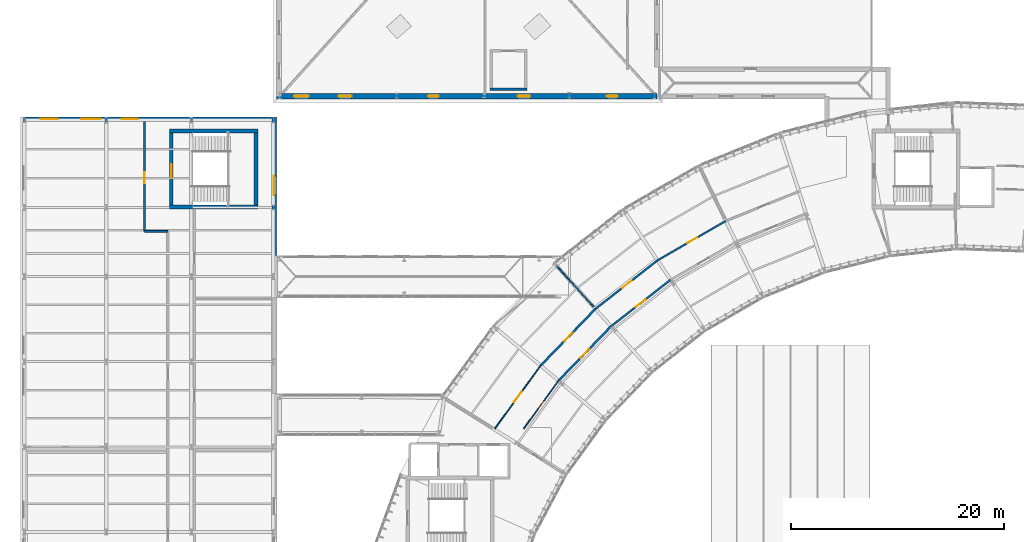
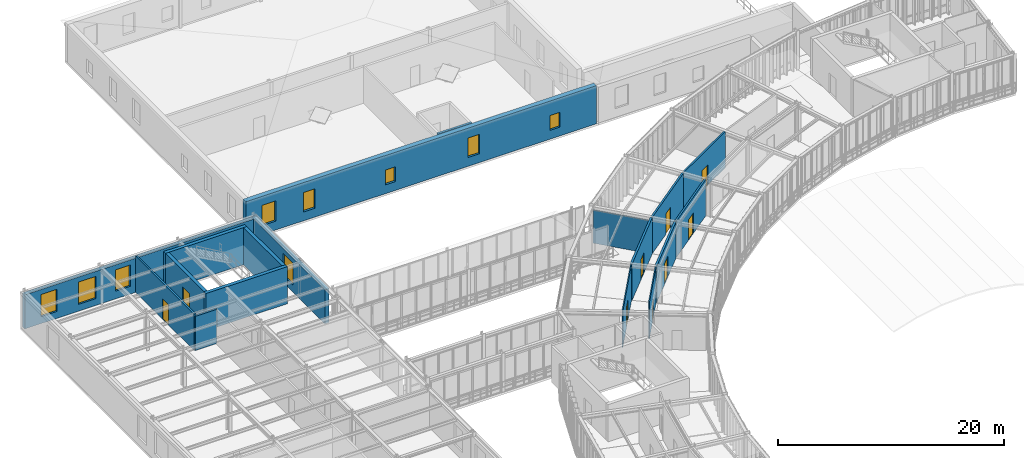
# One storey, part 43 of 57: 18 walls, 9 doors, 9 windows, 18 openings.
"""IFC4 building model written with IfcOpenShell, lengths in metres."""

import ifcopenshell
import ifcopenshell.guid

model = None  # the IFC model being written
_history = None  # IfcOwnerHistory: only IFC2X3 demands one
_inside = {}  # id of a spatial element -> (the spatial element, [elements in it])
_under = {}  # id of a project, library or spatial element -> (it, [spatial elements below it])
_declared = {}  # id of a project -> (the project, [libraries it declares])
_typed = {}  # id of a type object -> (the type object, [elements of that type])
_made_of = {}  # id of a material, layer set ... -> (it, [elements and type objects made of it])


def new_model(schema):
    """Start an empty IFC model of exactly this schema.

    Asked for "IFC4X3", IfcOpenShell would pick the latest addendum, in which some entities
    have other attributes; the version numbers below select the first issue.
    IFC2X3 requires an IfcOwnerHistory on every rooted entity: one is made here for all.
    """
    global model, _history
    if schema == "IFC4X3":
        model = ifcopenshell.file(schema_version=(4, 3, 0, 0))
    else:
        model = ifcopenshell.file(schema=schema)
    _inside.clear()
    _under.clear()
    _declared.clear()
    _typed.clear()
    _made_of.clear()
    _history = None
    if model.schema == "IFC2X3":
        org = make("IfcOrganization", Name="unknown")
        user = make(
            "IfcPersonAndOrganization",
            ThePerson=make("IfcPerson", FamilyName="unknown"),
            TheOrganization=org,
        )
        app = make(
            "IfcApplication",
            ApplicationDeveloper=org,
            Version="unknown",
            ApplicationFullName="unknown",
            ApplicationIdentifier="unknown",
        )
        _history = make(
            "IfcOwnerHistory",
            OwningUser=user,
            OwningApplication=app,
            ChangeAction="ADDED",
            CreationDate=0,
        )
    return model


def make(cls, **values):
    """One entity of the class cls with the attributes given. An attribute that is None is left unset."""
    return model.create_entity(
        cls, **{name: value for name, value in values.items() if value is not None}
    )


def rooted(cls, **values):
    """An entity with a GlobalId (a new one), such as an element, a storey or a relation."""
    return make(cls, GlobalId=ifcopenshell.guid.new(), OwnerHistory=_history, **values)


def si_unit(unit_type, name, prefix=None):
    """IfcSIUnit, for example si_unit("LENGTHUNIT", "METRE", prefix="MILLI")."""
    return make("IfcSIUnit", UnitType=unit_type, Prefix=prefix, Name=name)


def assignment(units):
    """IfcUnitAssignment: the units of a project."""
    return None if units is None else make("IfcUnitAssignment", Units=units)


def point(xyz):
    """IfcCartesianPoint."""
    return None if xyz is None else make("IfcCartesianPoint", Coordinates=xyz)


def direction(xyz):
    """IfcDirection."""
    return None if xyz is None else make("IfcDirection", DirectionRatios=xyz)


def frame(location, z_axis=None, x_axis=None):
    """IfcAxis2Placement3D, a coordinate frame: its origin and axes. An axis left out is left unset."""
    return make(
        "IfcAxis2Placement3D",
        Location=point(location),
        Axis=direction(z_axis),
        RefDirection=direction(x_axis),
    )


def frame_2d(location, x_axis=None):
    """IfcAxis2Placement2D, a coordinate frame in the plane: its origin and x axis."""
    return make(
        "IfcAxis2Placement2D", Location=point(location), RefDirection=direction(x_axis)
    )


def origin():
    """The frame at (0, 0, 0) with its axes left unset."""
    return frame((0.0, 0.0, 0.0))


def place(relative_to, where):
    """IfcLocalPlacement: puts the frame where relative to a parent placement (None: the world)."""
    return make(
        "IfcLocalPlacement", PlacementRelTo=relative_to, RelativePlacement=where
    )


def context(
    kind, dimensions, precision=None, world=None, true_north=None, identifier=None
):
    """IfcGeometricRepresentationContext, for example the 3D "Model" context."""
    return make(
        "IfcGeometricRepresentationContext",
        ContextIdentifier=identifier,
        ContextType=kind,
        CoordinateSpaceDimension=dimensions,
        Precision=precision,
        WorldCoordinateSystem=world,
        TrueNorth=true_north,
    )


def subcontext(parent, identifier, kind, view, scale=None):
    """IfcGeometricRepresentationSubContext, for example "Body" below "Model"."""
    return make(
        "IfcGeometricRepresentationSubContext",
        ContextIdentifier=identifier,
        ContextType=kind,
        ParentContext=parent,
        TargetScale=scale,
        TargetView=view,
    )


def project(units=None, contexts=None):
    """IfcProject with its units and contexts."""
    return rooted(
        "IfcProject",
        Name="project",
        RepresentationContexts=contexts,
        UnitsInContext=assignment(units),
    )


def spatial(cls, under=None, at=None, **own):
    """A site, building, storey or space (cls), placed at a placement, below another one or the project."""
    s = rooted(cls, ObjectPlacement=at, **own)
    if under is not None:
        _under.setdefault(under.id(), (under, []))[1].append(s)
    return s


def profile(cls, at=None, kind="AREA", **sizes):
    """A parametric profile (cls). Its sizes go by their IFC names, for example OverallWidth=200.0."""
    return make(cls, ProfileType=kind, Position=at, **sizes)


def rectangle(**sizes):
    """IfcRectangleProfileDef."""
    return profile("IfcRectangleProfileDef", **sizes)


def extrude(swept, where, along, depth):
    """IfcExtrudedAreaSolid: the profile swept, set in the frame where, extruded along a direction by depth."""
    return make(
        "IfcExtrudedAreaSolid",
        SweptArea=swept,
        Position=where,
        ExtrudedDirection=direction(along),
        Depth=depth,
    )


def shape(context_of_items, identifier, shape_type, items):
    """IfcShapeRepresentation: the items that make up one representation, for example the "Body"."""
    return make(
        "IfcShapeRepresentation",
        ContextOfItems=context_of_items,
        RepresentationIdentifier=identifier,
        RepresentationType=shape_type,
        Items=items,
    )


def material(Name=None, Category=None):
    """IfcMaterial."""
    return make("IfcMaterial", Name=Name, Category=Category)


def layer(
    of_material, thickness, ventilated=None, Name=None, Category=None, Priority=None
):
    """IfcMaterialLayer: one layer of a wall or slab, of a material (None: an air gap)."""
    return make(
        "IfcMaterialLayer",
        Material=of_material,
        LayerThickness=thickness,
        IsVentilated=ventilated,
        Name=Name,
        Category=Category,
        Priority=Priority,
    )


def layer_set(layers, Name=None):
    """IfcMaterialLayerSet."""
    return make("IfcMaterialLayerSet", MaterialLayers=layers, LayerSetName=Name)


def made_of(thing, what):
    """Note that an element or type object is made of a material, layer set ...; save() writes the relation."""
    if what is not None:
        _made_of.setdefault(what.id(), (what, []))[1].append(thing)
    return thing


def type_object(cls, material=None, **own):
    """A type object (cls), such as IfcWallType, which elements share."""
    return made_of(rooted(cls, **own), material)


def element(
    cls,
    number,
    at=None,
    inside=None,
    cuts=None,
    type_object=None,
    material=None,
    context=None,
    identifier="Body",
    shape_type=None,
    held_by="IfcProductDefinitionShape",
    body=None,
    shapes=None,
    **own,
):
    """One element of the class cls, such as IfcWall. Its Tag is "e" and its number.

    at: its placement. inside: the storey or other place that contains it. cuts: it is an
    opening in that element (IfcRelVoidsElement). A single representation is given by context,
    identifier, shape_type and body (its items); several are given by shapes. held_by: the class
    of the entity that holds the representations. save() writes the other relations.
    """
    e = rooted(cls, Tag="e%d" % number, ObjectPlacement=at, **own)
    if body is not None:
        shapes = [shape(context, identifier, shape_type, body)]
    if shapes is not None:
        e.Representation = make(held_by, Representations=shapes)
    if inside is not None:
        _inside.setdefault(inside.id(), (inside, []))[1].append(e)
    if cuts is not None:
        rooted(
            "IfcRelVoidsElement", RelatingBuildingElement=cuts, RelatedOpeningElement=e
        )
    if type_object is not None:
        _typed.setdefault(type_object.id(), (type_object, []))[1].append(e)
    return made_of(e, material)


def fill(opening, filler):
    """IfcRelFillsElement: the door or window that sits in an opening."""
    return rooted(
        "IfcRelFillsElement",
        RelatingOpeningElement=opening,
        RelatedBuildingElement=filler,
    )


def aggregate(whole, parts):
    """IfcRelAggregates: a whole, such as a stair, and the parts it consists of."""
    return rooted("IfcRelAggregates", RelatingObject=whole, RelatedObjects=parts)


def save(model, path):
    """Write the relations noted so far, then the file.

    IfcRelAggregates (storeys below a building ...), IfcRelContainedInSpatialStructure (elements
    in a storey), IfcRelDefinesByType, IfcRelAssociatesMaterial and IfcRelDeclares: one each for
    every whole, place, type object, material and project.
    """
    for whole, parts in _under.values():
        aggregate(whole, parts)
    for where, things in _inside.values():
        rooted(
            "IfcRelContainedInSpatialStructure",
            RelatedElements=things,
            RelatingStructure=where,
        )
    for kind, things in _typed.values():
        rooted("IfcRelDefinesByType", RelatedObjects=things, RelatingType=kind)
    for what, things in _made_of.values():
        rooted("IfcRelAssociatesMaterial", RelatedObjects=things, RelatingMaterial=what)
    for by, libraries in _declared.values():
        rooted("IfcRelDeclares", RelatingContext=by, RelatedDefinitions=libraries)
    model.write(path)


model = new_model("IFC4")

# Units and contexts
model_context = context("Model", 3, precision=1e-05, world=origin(), true_north=direction((0.0, 1.0)))
body_context = subcontext(model_context, "Body", "Model", "MODEL_VIEW")
ifc_project = project(units=[si_unit("LENGTHUNIT", "METRE"), si_unit("AREAUNIT", "SQUARE_METRE"), si_unit("VOLUMEUNIT", "CUBIC_METRE"), si_unit("PLANEANGLEUNIT", "RADIAN"), si_unit("MASSUNIT", "GRAM", prefix="KILO"), si_unit("THERMODYNAMICTEMPERATUREUNIT", "KELVIN"), si_unit("POWERUNIT", "WATT")], contexts=[model_context])

# Site, building, storey
site_placement = place(None, origin())
site = spatial("IfcSite", under=ifc_project, at=site_placement, CompositionType="ELEMENT")
building_placement = place(site_placement, origin())
building = spatial("IfcBuilding", under=site, at=building_placement, Name="Solvatero Civic Police Headquarters", CompositionType="ELEMENT")
storey_placement = place(building_placement, frame((0.0, 0.0, 9.300048828125)))
storey = spatial("IfcBuildingStorey", under=building, at=storey_placement, Name="L02", CompositionType="ELEMENT", Elevation=9.300048828125)

# Wall, openings, windows
ifc_material_1 = material(Name="Reinforced Masonry", Category="masonry")
ifc_layer_1 = layer(ifc_material_1, 0.47998046875)
ifc_layer_set_1 = layer_set([ifc_layer_1], Name="Reinforced Masonry")
wall_type_1 = type_object("IfcWallType", Name="WL-EXT-CUST-480", PredefinedType="SOLIDWALL", material=ifc_layer_set_1)
wall_1_placement = place(storey_placement, frame((28.5, 85.43994140625, 0.0), z_axis=(0.0, 0.0, 1.0), x_axis=(1.0, 0.0, 0.0)))
wall_1 = element("IfcWall", 1, at=wall_1_placement, inside=storey, type_object=wall_type_1, Name="Exterior Wall WLE-L02-V7-S", PredefinedType="SOLIDWALL", context=body_context, shape_type="SweptSolid", body=[
    extrude(rectangle(XDim=35.760009765625, YDim=0.47998046875, at=frame_2d((17.8798828125, 0.0))), origin(), (0.0, 0.0, 1.0), 4.119873046875),
])
opening_1_placement = place(wall_1_placement, frame((1.64990234375, 0.0, 0.949951171875)))
opening_1 = element("IfcOpeningElement", 2, at=opening_1_placement, cuts=wall_1, Name="Opening W-02", PredefinedType="OPENING", context=body_context, shape_type="SweptSolid", body=[
    extrude(rectangle(XDim=1.39990234375, YDim=2.199951171875, at=frame_2d((0.699951171875, 1.10009765625))), frame((0.0, 0.25, 0.0), z_axis=(0.0, -1.0, 0.0), x_axis=(1.0, 0.0, 0.0)), (0.0, 0.0, 1.0), 0.5),
])
opening_2_placement = place(wall_1_placement, frame((5.85009765625, 0.0, 0.949951171875)))
opening_2 = element("IfcOpeningElement", 3, at=opening_2_placement, cuts=wall_1, Name="Opening W-01", PredefinedType="OPENING", context=body_context, shape_type="SweptSolid", body=[
    extrude(rectangle(XDim=1.199951171875, YDim=2.10009765625, at=frame_2d((0.60009765625, 1.050048828125))), frame((0.0, 0.25, 0.0), z_axis=(0.0, -1.0, 0.0), x_axis=(1.0, 0.0, 0.0)), (0.0, 0.0, 1.0), 0.5),
])
opening_3_placement = place(wall_1_placement, frame((14.25, 0.0, 0.949951171875)))
opening_3 = element("IfcOpeningElement", 4, at=opening_3_placement, cuts=wall_1, Name="Opening W-09", PredefinedType="OPENING", context=body_context, shape_type="SweptSolid", body=[
    extrude(rectangle(XDim=1.0, YDim=1.60009765625, at=frame_2d((0.5, 0.800048828125))), frame((0.0, 0.25, 0.0), z_axis=(0.0, -1.0, 0.0), x_axis=(1.0, 0.0, 0.0)), (0.0, 0.0, 1.0), 0.5),
])
opening_4_placement = place(wall_1_placement, frame((22.64990234375, 0.0, 0.949951171875)))
opening_4 = element("IfcOpeningElement", 5, at=opening_4_placement, cuts=wall_1, Name="Opening W-01", PredefinedType="OPENING", context=body_context, shape_type="SweptSolid", body=[
    extrude(rectangle(XDim=1.199951171875, YDim=2.10009765625, at=frame_2d((0.60009765625, 1.050048828125))), frame((0.0, 0.25, 0.0), z_axis=(0.0, -1.0, 0.0), x_axis=(1.0, 0.0, 0.0)), (0.0, 0.0, 1.0), 0.5),
])
opening_5_placement = place(wall_1_placement, frame((31.050048828125, 0.0, 0.949951171875)))
opening_5 = element("IfcOpeningElement", 6, at=opening_5_placement, cuts=wall_1, Name="Opening W-09", PredefinedType="OPENING", context=body_context, shape_type="SweptSolid", body=[
    extrude(rectangle(XDim=1.0, YDim=1.60009765625, at=frame_2d((0.5, 0.800048828125))), frame((0.0, 0.25, 0.0), z_axis=(0.0, -1.0, 0.0), x_axis=(1.0, 0.0, 0.0)), (0.0, 0.0, 1.0), 0.5),
])
ifc_material_2 = material(Name="Anodized Bronze Aluminium", Category="aluminium")
window_type_1 = type_object("IfcWindowType", Name="WN-CL-100x160", PartitioningType="SINGLE_PANEL", PredefinedType="WINDOW", material=ifc_material_2)
window_1_placement = place(opening_3_placement, origin())
window_1 = element("IfcWindow", 7, at=window_1_placement, inside=storey, type_object=window_type_1, Name="Exterior Window 0223", OverallHeight=1.60009765625, OverallWidth=1.0, PartitioningType="SINGLE_PANEL", PredefinedType="WINDOW", context=body_context, shape_type="SweptSolid", body=[
    extrude(rectangle(XDim=1.0, YDim=1.60009765625, at=frame_2d((0.5, 0.800048828125))), frame((0.0, 0.030029296875, 0.0), z_axis=(0.0, -1.0, 0.0), x_axis=(1.0, 0.0, 0.0)), (0.0, 0.0, 1.0), 0.06005859375),
])
fill(opening_3, window_1)
window_2_placement = place(opening_5_placement, origin())
window_2 = element("IfcWindow", 8, at=window_2_placement, inside=storey, type_object=window_type_1, Name="Exterior Window 0225", OverallHeight=1.60009765625, OverallWidth=1.0, PartitioningType="SINGLE_PANEL", PredefinedType="WINDOW", context=body_context, shape_type="SweptSolid", body=[
    extrude(rectangle(XDim=1.0, YDim=1.60009765625, at=frame_2d((0.5, 0.800048828125))), frame((0.0, 0.030029296875, 0.0), z_axis=(0.0, -1.0, 0.0), x_axis=(1.0, 0.0, 0.0)), (0.0, 0.0, 1.0), 0.06005859375),
])
fill(opening_5, window_2)
window_type_2 = type_object("IfcWindowType", Name="WN-CL-120x210", PartitioningType="SINGLE_PANEL", PredefinedType="WINDOW", material=ifc_material_2)
window_3_placement = place(opening_2_placement, origin())
window_3 = element("IfcWindow", 9, at=window_3_placement, inside=storey, type_object=window_type_2, Name="Exterior Window 0222", OverallHeight=2.10009765625, OverallWidth=1.199951171875, PartitioningType="SINGLE_PANEL", PredefinedType="WINDOW", context=body_context, shape_type="SweptSolid", body=[
    extrude(rectangle(XDim=1.199951171875, YDim=2.10009765625, at=frame_2d((0.60009765625, 1.050048828125))), frame((0.0, 0.030029296875, 0.0), z_axis=(0.0, -1.0, 0.0), x_axis=(1.0, 0.0, 0.0)), (0.0, 0.0, 1.0), 0.06005859375),
])
fill(opening_2, window_3)
window_4_placement = place(opening_4_placement, origin())
window_4 = element("IfcWindow", 10, at=window_4_placement, inside=storey, type_object=window_type_2, Name="Exterior Window 0224", OverallHeight=2.10009765625, OverallWidth=1.199951171875, PartitioningType="SINGLE_PANEL", PredefinedType="WINDOW", context=body_context, shape_type="SweptSolid", body=[
    extrude(rectangle(XDim=1.199951171875, YDim=2.10009765625, at=frame_2d((0.60009765625, 1.050048828125))), frame((0.0, 0.030029296875, 0.0), z_axis=(0.0, -1.0, 0.0), x_axis=(1.0, 0.0, 0.0)), (0.0, 0.0, 1.0), 0.06005859375),
])
fill(opening_4, window_4)
window_type_3 = type_object("IfcWindowType", Name="WN-CL-140x220", PartitioningType="SINGLE_PANEL", PredefinedType="WINDOW", material=ifc_material_2)
window_5_placement = place(opening_1_placement, origin())
window_5 = element("IfcWindow", 11, at=window_5_placement, inside=storey, type_object=window_type_3, Name="Exterior Window 0221", OverallHeight=2.199951171875, OverallWidth=1.39990234375, PartitioningType="SINGLE_PANEL", PredefinedType="WINDOW", context=body_context, shape_type="SweptSolid", body=[
    extrude(rectangle(XDim=1.39990234375, YDim=2.199951171875, at=frame_2d((0.699951171875, 1.10009765625))), frame((0.0, 0.030029296875, 0.0), z_axis=(0.0, -1.0, 0.0), x_axis=(1.0, 0.0, 0.0)), (0.0, 0.0, 1.0), 0.06005859375),
])
fill(opening_1, window_5)

# Wall, opening, window
ifc_material_3 = material(Name="Cream Limestone Ashlar", Category="masonry")
ifc_layer_2 = layer(ifc_material_3, 0.419921875)
ifc_layer_set_2 = layer_set([ifc_layer_2], Name="Cream Limestone Ashlar")
wall_type_2 = type_object("IfcWallType", Name="WL-EXT-LIME-420", PredefinedType="SOLIDWALL", material=ifc_layer_set_2)
wall_2_placement = place(storey_placement, frame((28.280029296875, 70.5, 0.0), z_axis=(0.0, 0.0, 1.0), x_axis=(0.0, 1.0, 0.0)))
wall_2 = element("IfcWall", 12, at=wall_2_placement, inside=storey, type_object=wall_type_2, Name="Exterior Wall WLE-L02-V6-EC", PredefinedType="SOLIDWALL", context=body_context, shape_type="SweptSolid", body=[
    extrude(rectangle(XDim=13.0, YDim=0.419921875, at=frame_2d((6.5, 0.0))), origin(), (0.0, 0.0, 1.0), 3.679931640625),
])
opening_6_placement = place(wall_2_placement, frame((5.64990234375, 0.0, 0.739990234375)))
opening_6 = element("IfcOpeningElement", 13, at=opening_6_placement, cuts=wall_2, Name="Opening W-05", PredefinedType="OPENING", context=body_context, shape_type="SweptSolid", body=[
    extrude(rectangle(XDim=1.800048828125, YDim=2.39990234375, at=frame_2d((0.89990234375, 1.199951171875))), frame((0.0, 0.219970703125, 0.0), z_axis=(0.0, -1.0, 0.0), x_axis=(1.0, 0.0, 0.0)), (0.0, 0.0, 1.0), 0.43994140625),
])
window_type_4 = type_object("IfcWindowType", Name="WN-CL-180x240", PartitioningType="SINGLE_PANEL", PredefinedType="WINDOW", material=ifc_material_2)
window_6_placement = place(opening_6_placement, origin())
window_6 = element("IfcWindow", 14, at=window_6_placement, inside=storey, type_object=window_type_4, Name="Exterior Window 0078", OverallHeight=2.39990234375, OverallWidth=1.800048828125, PartitioningType="SINGLE_PANEL", PredefinedType="WINDOW", context=body_context, shape_type="SweptSolid", body=[
    extrude(rectangle(XDim=1.800048828125, YDim=2.39990234375, at=frame_2d((0.89990234375, 1.199951171875))), frame((0.0, 0.030029296875, 0.0), z_axis=(0.0, -1.0, 0.0), x_axis=(1.0, 0.0, 0.0)), (0.0, 0.0, 1.0), 0.06005859375),
])
fill(opening_6, window_6)

# Wall, openings, windows
wall_3_placement = place(storey_placement, frame((4.719970703125, 83.2900390625, 0.0), z_axis=(0.0, 0.0, 1.0), x_axis=(1.0, 0.0, 0.0)))
wall_3 = element("IfcWall", 15, at=wall_3_placement, inside=storey, type_object=wall_type_2, Name="Exterior Wall WLE-L02-V6-N", PredefinedType="SOLIDWALL", context=body_context, shape_type="SweptSolid", body=[
    extrude(rectangle(XDim=23.56005859375, YDim=0.419921875, at=frame_2d((11.780029296875, 0.0))), origin(), (0.0, 0.0, 1.0), 3.679931640625),
])
opening_7_placement = place(wall_3_placement, frame((1.64990234375, 0.0, 0.739990234375)))
opening_7 = element("IfcOpeningElement", 16, at=opening_7_placement, cuts=wall_3, Name="Opening W-04", PredefinedType="OPENING", context=body_context, shape_type="SweptSolid", body=[
    extrude(rectangle(XDim=1.60009765625, YDim=2.39990234375, at=frame_2d((0.800048828125, 1.199951171875))), frame((0.0, 0.219970703125, 0.0), z_axis=(0.0, -1.0, 0.0), x_axis=(1.0, 0.0, 0.0)), (0.0, 0.0, 1.0), 0.43994140625),
])
opening_8_placement = place(wall_3_placement, frame((5.449951171875, 0.0, 0.739990234375)))
opening_8 = element("IfcOpeningElement", 17, at=opening_8_placement, cuts=wall_3, Name="Opening W-05", PredefinedType="OPENING", context=body_context, shape_type="SweptSolid", body=[
    extrude(rectangle(XDim=1.800048828125, YDim=2.39990234375, at=frame_2d((0.89990234375, 1.199951171875))), frame((0.0, 0.219970703125, 0.0), z_axis=(0.0, -1.0, 0.0), x_axis=(1.0, 0.0, 0.0)), (0.0, 0.0, 1.0), 0.43994140625),
])
opening_9_placement = place(wall_3_placement, frame((9.25, 0.0, 0.840087890625)))
opening_9 = element("IfcOpeningElement", 18, at=opening_9_placement, cuts=wall_3, Name="Opening W-03", PredefinedType="OPENING", context=body_context, shape_type="SweptSolid", body=[
    extrude(rectangle(XDim=1.5, YDim=2.300048828125, at=frame_2d((0.75, 1.14990234375))), frame((0.0, 0.219970703125, 0.0), z_axis=(0.0, -1.0, 0.0), x_axis=(1.0, 0.0, 0.0)), (0.0, 0.0, 1.0), 0.43994140625),
])
window_type_5 = type_object("IfcWindowType", Name="WN-CL-150x230", PartitioningType="SINGLE_PANEL", PredefinedType="WINDOW", material=ifc_material_2)
window_7_placement = place(opening_9_placement, origin())
window_7 = element("IfcWindow", 19, at=window_7_placement, inside=storey, type_object=window_type_5, Name="Exterior Window 0087", OverallHeight=2.300048828125, OverallWidth=1.5, PartitioningType="SINGLE_PANEL", PredefinedType="WINDOW", context=body_context, shape_type="SweptSolid", body=[
    extrude(rectangle(XDim=1.5, YDim=2.300048828125, at=frame_2d((0.75, 1.14990234375))), frame((0.0, 0.030029296875, 0.0), z_axis=(0.0, -1.0, 0.0), x_axis=(1.0, 0.0, 0.0)), (0.0, 0.0, 1.0), 0.06005859375),
])
fill(opening_9, window_7)
window_type_6 = type_object("IfcWindowType", Name="WN-CL-160x240", PartitioningType="SINGLE_PANEL", PredefinedType="WINDOW", material=ifc_material_2)
window_8_placement = place(opening_7_placement, origin())
window_8 = element("IfcWindow", 20, at=window_8_placement, inside=storey, type_object=window_type_6, Name="Exterior Window 0085", OverallHeight=2.39990234375, OverallWidth=1.60009765625, PartitioningType="SINGLE_PANEL", PredefinedType="WINDOW", context=body_context, shape_type="SweptSolid", body=[
    extrude(rectangle(XDim=1.60009765625, YDim=2.39990234375, at=frame_2d((0.800048828125, 1.199951171875))), frame((0.0, 0.030029296875, 0.0), z_axis=(0.0, -1.0, 0.0), x_axis=(1.0, 0.0, 0.0)), (0.0, 0.0, 1.0), 0.06005859375),
])
fill(opening_7, window_8)
window_9_placement = place(opening_8_placement, origin())
window_9 = element("IfcWindow", 21, at=window_9_placement, inside=storey, type_object=window_type_4, Name="Exterior Window 0086", OverallHeight=2.39990234375, OverallWidth=1.800048828125, PartitioningType="SINGLE_PANEL", PredefinedType="WINDOW", context=body_context, shape_type="SweptSolid", body=[
    extrude(rectangle(XDim=1.800048828125, YDim=2.39990234375, at=frame_2d((0.89990234375, 1.199951171875))), frame((0.0, 0.030029296875, 0.0), z_axis=(0.0, -1.0, 0.0), x_axis=(1.0, 0.0, 0.0)), (0.0, 0.0, 1.0), 0.06005859375),
])
fill(opening_8, window_9)

# Wall, opening, door
ifc_material_4 = material(Name="Gypsum Acoustic Stud", Category="gypsum")
ifc_layer_3 = layer(ifc_material_4, 0.10009765625)
ifc_layer_set_3 = layer_set([ifc_layer_3], Name="Gypsum Acoustic Stud")
wall_type_3 = type_object("IfcWallType", Name="WL-PTN-100", PredefinedType="PARTITIONING", material=ifc_layer_set_3)
wall_4_placement = place(storey_placement, frame((55.00830078125, 58.718017578125, 0.0), z_axis=(0.0, 0.0, 1.0), x_axis=(-0.587773920785, -0.809025227076, 0.0)))
wall_4 = element("IfcWall", 22, at=wall_4_placement, inside=storey, type_object=wall_type_3, Name="Interior Partition WLP-L02-ARC-CIN-B08", PredefinedType="PARTITIONING", context=body_context, shape_type="SweptSolid", body=[
    extrude(rectangle(XDim=5.58447265625, YDim=0.10009765625, at=frame_2d((2.792236328125, 0.0))), origin(), (0.0, 0.0, 1.0), 3.919921875),
])
opening_10_placement = place(wall_4_placement, frame((2.344970703125, 0.0, 0.0)))
opening_10 = element("IfcOpeningElement", 23, at=opening_10_placement, cuts=wall_4, Name="Opening ID-01", PredefinedType="OPENING", context=body_context, shape_type="SweptSolid", body=[
    extrude(rectangle(XDim=0.8798828125, YDim=2.10009765625, at=frame_2d((0.43994140625, 1.050048828125))), frame((0.0, 0.06005859375, 0.0), z_axis=(0.0, -1.0, 0.0), x_axis=(1.0, 0.0, 0.0)), (0.0, 0.0, 1.0), 0.1201171875),
])
ifc_material_5 = material(Name="Acoustic Oak Timber Veneer", Category="wood")
door_type_1 = type_object("IfcDoorType", Name="DR-OFF-088x210", OperationType="NOTDEFINED", PredefinedType="DOOR", material=ifc_material_5)
door_1_placement = place(opening_10_placement, origin())
door_1 = element("IfcDoor", 24, at=door_1_placement, inside=storey, type_object=door_type_1, Name="Interior Door DR-L02-ARC-IN-B08", OperationType="SINGLE_SWING_RIGHT", OverallHeight=2.10009765625, OverallWidth=0.8798828125, PredefinedType="DOOR", context=body_context, shape_type="SweptSolid", body=[
    extrude(rectangle(XDim=0.8798828125, YDim=2.10009765625, at=frame_2d((0.43994140625, 1.050048828125))), frame((0.0, 0.02490234375, 0.0), z_axis=(0.0, -1.0, 0.0), x_axis=(1.0, 0.0, 0.0)), (0.0, 0.0, 1.0), 0.050048828125),
])
fill(opening_10, door_1)

wall_5_placement = place(storey_placement, frame((53.322998046875, 60.132080078125, 0.0), z_axis=(0.0, 0.0, 1.0), x_axis=(-0.587773694682, -0.809025391344, 0.0)))
wall_5 = element("IfcWall", 25, at=wall_5_placement, inside=storey, type_object=wall_type_3, Name="Interior Partition WLP-L02-ARC-COUT-B08", PredefinedType="PARTITIONING", context=body_context, shape_type="SweptSolid", body=[
    extrude(rectangle(XDim=7.33251953125, YDim=0.10009765625, at=frame_2d((3.666259765625, 0.0))), origin(), (0.0, 0.0, 1.0), 3.919921875),
])
opening_11_placement = place(wall_5_placement, frame((3.080078125, 0.0, 0.0)))
opening_11 = element("IfcOpeningElement", 26, at=opening_11_placement, cuts=wall_5, Name="Opening ID-10", PredefinedType="OPENING", context=body_context, shape_type="SweptSolid", body=[
    extrude(rectangle(XDim=1.14990234375, YDim=2.199951171875, at=frame_2d((0.574951171875, 1.10009765625))), frame((0.0, 0.06005859375, 0.0), z_axis=(0.0, -1.0, 0.0), x_axis=(1.0, 0.0, 0.0)), (0.0, 0.0, 1.0), 0.1201171875),
])
ifc_material_6 = material(Name="Powder-Coated Steel", Category="steel")
door_type_2 = type_object("IfcDoorType", Name="DR-COR-115x220", OperationType="NOTDEFINED", PredefinedType="DOOR", material=ifc_material_6)
door_2_placement = place(opening_11_placement, origin())
door_2 = element("IfcDoor", 27, at=door_2_placement, inside=storey, type_object=door_type_2, Name="Interior Door DR-L02-ARC-OUT-B08", OperationType="SINGLE_SWING_LEFT", OverallHeight=2.199951171875, OverallWidth=1.14990234375, PredefinedType="DOOR", context=body_context, shape_type="SweptSolid", body=[
    extrude(rectangle(XDim=1.14990234375, YDim=2.199951171875, at=frame_2d((0.574951171875, 1.10009765625))), frame((0.0, 0.02490234375, 0.0), z_axis=(0.0, -1.0, 0.0), x_axis=(1.0, 0.0, 0.0)), (0.0, 0.0, 1.0), 0.050048828125),
])
fill(opening_11, door_2)

# Wall
ifc_layer_4 = layer(ifc_material_4, 0.1201171875)
ifc_layer_set_4 = layer_set([ifc_layer_4], Name="Gypsum Acoustic Stud")
wall_type_4 = type_object("IfcWallType", Name="WL-PTN-120", PredefinedType="PARTITIONING", material=ifc_layer_set_4)
wall_6_placement = place(storey_placement, frame((58.302001953125, 65.646728515625, 0.0), z_axis=(0.0, 0.0, 1.0), x_axis=(-0.669114002905, 0.743159774959, 0.0)))
element("IfcWall", 28, at=wall_6_placement, inside=storey, type_object=wall_type_4, Name="Interior Partition WLP-L02-ARC-RAD-B06", PredefinedType="PARTITIONING", context=body_context, shape_type="SweptSolid", body=[
    extrude(rectangle(XDim=5.150146484375, YDim=0.1201171875, at=frame_2d((2.5751953125, 0.0))), origin(), (0.0, 0.0, 1.0), 3.550048828125),
])

# Wall, opening, door
ifc_material_7 = material(Name="Concrete Blockwork", Category="masonry")
ifc_layer_5 = layer(ifc_material_7, 0.1650390625)
ifc_layer_set_5 = layer_set([ifc_layer_5], Name="Concrete Blockwork")
wall_type_5 = type_object("IfcWallType", Name="WL-PTN-165", PredefinedType="PARTITIONING", material=ifc_layer_set_5)
wall_7_placement = place(storey_placement, frame((70.722412109375, 73.72607421875, 0.0), z_axis=(0.0, 0.0, 1.0), x_axis=(-0.866019843608, -0.500009630384, 0.0)))
wall_7 = element("IfcWall", 29, at=wall_7_placement, inside=storey, type_object=wall_type_5, Name="Interior Partition WLP-L02-ARC-COUT-B05", PredefinedType="PARTITIONING", context=body_context, shape_type="SweptSolid", body=[
    extrude(rectangle(XDim=7.407958984375, YDim=0.1650390625, at=frame_2d((3.7041015625, 0.0))), origin(), (0.0, 0.0, 1.0), 3.919921875),
])
opening_12_placement = place(wall_7_placement, frame((3.111083984375, 0.0, 0.0)))
opening_12 = element("IfcOpeningElement", 30, at=opening_12_placement, cuts=wall_7, Name="Opening ID-07", PredefinedType="OPENING", context=body_context, shape_type="SweptSolid", body=[
    extrude(rectangle(XDim=1.050048828125, YDim=2.199951171875, at=frame_2d((0.52490234375, 1.10009765625))), frame((0.0, 0.092529296875, 0.0), z_axis=(0.0, -1.0, 0.0), x_axis=(1.0, 0.0, 0.0)), (0.0, 0.0, 1.0), 0.18505859375),
])
door_type_3 = type_object("IfcDoorType", Name="DR-LAB-105x220", OperationType="NOTDEFINED", PredefinedType="DOOR", material=ifc_material_6)
door_3_placement = place(opening_12_placement, origin())
door_3 = element("IfcDoor", 31, at=door_3_placement, inside=storey, type_object=door_type_3, Name="Interior Door DR-L02-ARC-OUT-B05", OperationType="SINGLE_SWING_LEFT", OverallHeight=2.199951171875, OverallWidth=1.050048828125, PredefinedType="DOOR", context=body_context, shape_type="SweptSolid", body=[
    extrude(rectangle(XDim=1.050048828125, YDim=2.199951171875, at=frame_2d((0.52490234375, 1.10009765625))), frame((0.0, 0.02490234375, 0.0), z_axis=(0.0, -1.0, 0.0), x_axis=(1.0, 0.0, 0.0)), (0.0, 0.0, 1.0), 0.050048828125),
])
fill(opening_12, door_3)

# Wall
ifc_layer_6 = layer(ifc_material_7, 0.179931640625)
ifc_layer_set_6 = layer_set([ifc_layer_6], Name="Concrete Blockwork")
wall_type_6 = type_object("IfcWallType", Name="WL-PTN-180", PredefinedType="PARTITIONING", material=ifc_layer_set_6)
wall_8_placement = place(storey_placement, frame((16.10009765625, 72.75, 0.0), z_axis=(0.0, 0.0, 1.0), x_axis=(1.0, 0.0, 0.0)))
element("IfcWall", 32, at=wall_8_placement, inside=storey, type_object=wall_type_6, Name="Interior Partition WLP-L02-C4LOB-S", PredefinedType="PARTITIONING", context=body_context, shape_type="SweptSolid", body=[
    extrude(rectangle(XDim=2.199951171875, YDim=0.179931640625, at=frame_2d((1.10009765625, 0.0))), origin(), (0.0, 0.0, 1.0), 3.68994140625),
])

# Wall, opening, door
wall_9_placement = place(storey_placement, frame((16.10009765625, 72.75, 0.0), z_axis=(0.0, 0.0, 1.0), x_axis=(0.0, 1.0, 0.0)))
wall_9 = element("IfcWall", 33, at=wall_9_placement, inside=storey, type_object=wall_type_6, Name="Interior Partition WLP-L02-C4LOB-W", PredefinedType="PARTITIONING", context=body_context, shape_type="SweptSolid", body=[
    extrude(rectangle(XDim=10.300048828125, YDim=0.179931640625, at=frame_2d((5.14990234375, 0.0))), origin(), (0.0, 0.0, 1.0), 3.919921875),
])
opening_13_placement = place(wall_9_placement, frame((4.5, 0.0, 0.0)))
opening_13 = element("IfcOpeningElement", 34, at=opening_13_placement, cuts=wall_9, Name="Opening ID-07", PredefinedType="OPENING", context=body_context, shape_type="SweptSolid", body=[
    extrude(rectangle(XDim=1.050048828125, YDim=2.199951171875, at=frame_2d((0.52490234375, 1.10009765625))), frame((0.0, 0.099853515625, 0.0), z_axis=(0.0, -1.0, 0.0), x_axis=(1.0, 0.0, 0.0)), (0.0, 0.0, 1.0), 0.199951171875),
])
door_4_placement = place(opening_13_placement, origin())
door_4 = element("IfcDoor", 35, at=door_4_placement, inside=storey, type_object=door_type_3, Name="Interior Door DR-L02-V6-C4W", OperationType="SINGLE_SWING_RIGHT", OverallHeight=2.199951171875, OverallWidth=1.050048828125, PredefinedType="DOOR", context=body_context, shape_type="SweptSolid", body=[
    extrude(rectangle(XDim=1.050048828125, YDim=2.199951171875, at=frame_2d((0.52490234375, 1.10009765625))), frame((0.0, 0.02490234375, 0.0), z_axis=(0.0, -1.0, 0.0), x_axis=(1.0, 0.0, 0.0)), (0.0, 0.0, 1.0), 0.050048828125),
])
fill(opening_13, door_4)

wall_10_placement = place(storey_placement, frame((65.537109375, 68.197998046875, 0.0), z_axis=(0.0, 0.0, 1.0), x_axis=(-0.788011863809, -0.615660054329, 0.0)))
wall_10 = element("IfcWall", 36, at=wall_10_placement, inside=storey, type_object=wall_type_6, Name="Interior Partition WLP-L02-ARC-CIN-B06", PredefinedType="PARTITIONING", context=body_context, shape_type="SweptSolid", body=[
    extrude(rectangle(XDim=7.10107421875, YDim=0.179931640625, at=frame_2d((3.550537109375, 0.0))), origin(), (0.0, 0.0, 1.0), 3.919921875),
])
opening_14_placement = place(wall_10_placement, frame((2.98193359375, 0.0, 0.0)))
opening_14 = element("IfcOpeningElement", 37, at=opening_14_placement, cuts=wall_10, Name="Opening ID-10", PredefinedType="OPENING", context=body_context, shape_type="SweptSolid", body=[
    extrude(rectangle(XDim=1.14990234375, YDim=2.199951171875, at=frame_2d((0.574951171875, 1.10009765625))), frame((0.0, 0.099853515625, 0.0), z_axis=(0.0, -1.0, 0.0), x_axis=(1.0, 0.0, 0.0)), (0.0, 0.0, 1.0), 0.199951171875),
])
door_5_placement = place(opening_14_placement, origin())
door_5 = element("IfcDoor", 38, at=door_5_placement, inside=storey, type_object=door_type_2, Name="Interior Door DR-L02-ARC-IN-B06", OperationType="SINGLE_SWING_RIGHT", OverallHeight=2.199951171875, OverallWidth=1.14990234375, PredefinedType="DOOR", context=body_context, shape_type="SweptSolid", body=[
    extrude(rectangle(XDim=1.14990234375, YDim=2.199951171875, at=frame_2d((0.574951171875, 1.10009765625))), frame((0.0, 0.02490234375, 0.0), z_axis=(0.0, -1.0, 0.0), x_axis=(1.0, 0.0, 0.0)), (0.0, 0.0, 1.0), 0.050048828125),
])
fill(opening_14, door_5)

wall_11_placement = place(storey_placement, frame((64.306884765625, 70.02197265625, 0.0), z_axis=(0.0, 0.0, 1.0), x_axis=(-0.787999891273, -0.615675378226, 0.0)))
wall_11 = element("IfcWall", 39, at=wall_11_placement, inside=storey, type_object=wall_type_6, Name="Interior Partition WLP-L02-ARC-COUT-B06", PredefinedType="PARTITIONING", context=body_context, shape_type="SweptSolid", body=[
    extrude(rectangle(XDim=7.408203125, YDim=0.179931640625, at=frame_2d((3.7041015625, 0.0))), origin(), (0.0, 0.0, 1.0), 3.919921875),
])
opening_15_placement = place(wall_11_placement, frame((3.111083984375, 0.0, 0.0)))
opening_15 = element("IfcOpeningElement", 40, at=opening_15_placement, cuts=wall_11, Name="Opening ID-08", PredefinedType="OPENING", context=body_context, shape_type="SweptSolid", body=[
    extrude(rectangle(XDim=1.080078125, YDim=2.219970703125, at=frame_2d((0.5400390625, 1.10986328125))), frame((0.0, 0.099853515625, 0.0), z_axis=(0.0, -1.0, 0.0), x_axis=(1.0, 0.0, 0.0)), (0.0, 0.0, 1.0), 0.199951171875),
])
door_type_4 = type_object("IfcDoorType", Name="DR-LAB-108x222", OperationType="NOTDEFINED", PredefinedType="DOOR", material=ifc_material_6)
door_6_placement = place(opening_15_placement, origin())
door_6 = element("IfcDoor", 41, at=door_6_placement, inside=storey, type_object=door_type_4, Name="Interior Door DR-L02-ARC-OUT-B06", OperationType="SINGLE_SWING_LEFT", OverallHeight=2.219970703125, OverallWidth=1.080078125, PredefinedType="DOOR", context=body_context, shape_type="SweptSolid", body=[
    extrude(rectangle(XDim=1.080078125, YDim=2.219970703125, at=frame_2d((0.5400390625, 1.10986328125))), frame((0.0, 0.02490234375, 0.0), z_axis=(0.0, -1.0, 0.0), x_axis=(1.0, 0.0, 0.0)), (0.0, 0.0, 1.0), 0.050048828125),
])
fill(opening_15, door_6)

ifc_layer_7 = layer(ifc_material_7, 0.199951171875)
ifc_layer_set_7 = layer_set([ifc_layer_7], Name="Concrete Blockwork")
wall_type_7 = type_object("IfcWallType", Name="WL-PTN-200", PredefinedType="PARTITIONING", material=ifc_layer_set_7)
wall_12_placement = place(storey_placement, frame((59.94140625, 63.826171875, 0.0), z_axis=(0.0, 0.0, 1.0), x_axis=(-0.694674270111, -0.719324445884, 0.0)))
wall_12 = element("IfcWall", 42, at=wall_12_placement, inside=storey, type_object=wall_type_7, Name="Interior Partition WLP-L02-ARC-CIN-B07", PredefinedType="PARTITIONING", context=body_context, shape_type="SweptSolid", body=[
    extrude(rectangle(XDim=7.101318359375, YDim=0.199951171875, at=frame_2d((3.55078125, 0.0))), origin(), (0.0, 0.0, 1.0), 3.919921875),
])
opening_16_placement = place(wall_12_placement, frame((2.98291015625, 0.0, 0.0)))
opening_16 = element("IfcOpeningElement", 43, at=opening_16_placement, cuts=wall_12, Name="Opening ID-11", PredefinedType="OPENING", context=body_context, shape_type="SweptSolid", body=[
    extrude(rectangle(XDim=1.179931640625, YDim=2.239990234375, at=frame_2d((0.58984375, 1.1201171875))), frame((0.0, 0.10986328125, 0.0), z_axis=(0.0, -1.0, 0.0), x_axis=(1.0, 0.0, 0.0)), (0.0, 0.0, 1.0), 0.219970703125),
])
door_type_5 = type_object("IfcDoorType", Name="DR-COR-118x224", OperationType="NOTDEFINED", PredefinedType="DOOR", material=ifc_material_6)
door_7_placement = place(opening_16_placement, origin())
door_7 = element("IfcDoor", 44, at=door_7_placement, inside=storey, type_object=door_type_5, Name="Interior Door DR-L02-ARC-IN-B07", OperationType="SINGLE_SWING_RIGHT", OverallHeight=2.239990234375, OverallWidth=1.179931640625, PredefinedType="DOOR", context=body_context, shape_type="SweptSolid", body=[
    extrude(rectangle(XDim=1.179931640625, YDim=2.239990234375, at=frame_2d((0.58984375, 1.1201171875))), frame((0.0, 0.02490234375, 0.0), z_axis=(0.0, -1.0, 0.0), x_axis=(1.0, 0.0, 0.0)), (0.0, 0.0, 1.0), 0.050048828125),
])
fill(opening_16, door_7)

wall_13_placement = place(storey_placement, frame((58.46923828125, 65.4609375, 0.0), z_axis=(0.0, 0.0, 1.0), x_axis=(-0.694673907436, -0.71932479613, 0.0)))
wall_13 = element("IfcWall", 45, at=wall_13_placement, inside=storey, type_object=wall_type_7, Name="Interior Partition WLP-L02-ARC-COUT-B07", PredefinedType="PARTITIONING", context=body_context, shape_type="SweptSolid", body=[
    extrude(rectangle(XDim=7.408203125, YDim=0.199951171875, at=frame_2d((3.7041015625, 0.0))), origin(), (0.0, 0.0, 1.0), 3.919921875),
])
opening_17_placement = place(wall_13_placement, frame((3.111083984375, 0.0, 0.0)))
opening_17 = element("IfcOpeningElement", 46, at=opening_17_placement, cuts=wall_13, Name="Opening ID-09", PredefinedType="OPENING", context=body_context, shape_type="SweptSolid", body=[
    extrude(rectangle(XDim=1.1201171875, YDim=2.199951171875, at=frame_2d((0.56005859375, 1.10009765625))), frame((0.0, 0.10986328125, 0.0), z_axis=(0.0, -1.0, 0.0), x_axis=(1.0, 0.0, 0.0)), (0.0, 0.0, 1.0), 0.219970703125),
])
door_type_6 = type_object("IfcDoorType", Name="DR-PLT-112x220", OperationType="NOTDEFINED", PredefinedType="DOOR", material=ifc_material_6)
door_8_placement = place(opening_17_placement, origin())
door_8 = element("IfcDoor", 47, at=door_8_placement, inside=storey, type_object=door_type_6, Name="Interior Door DR-L02-ARC-OUT-B07", OperationType="SINGLE_SWING_LEFT", OverallHeight=2.199951171875, OverallWidth=1.1201171875, PredefinedType="DOOR", context=body_context, shape_type="SweptSolid", body=[
    extrude(rectangle(XDim=1.1201171875, YDim=2.199951171875, at=frame_2d((0.56005859375, 1.10009765625))), frame((0.0, 0.02490234375, 0.0), z_axis=(0.0, -1.0, 0.0), x_axis=(1.0, 0.0, 0.0)), (0.0, 0.0, 1.0), 0.050048828125),
])
fill(opening_17, door_8)

# Walls
ifc_material_8 = material(Name="Concrete C35/45", Category="concrete")
ifc_layer_8 = layer(ifc_material_8, 0.219970703125)
ifc_layer_set_8 = layer_set([ifc_layer_8], Name="Concrete C35/45")
wall_type_8 = type_object("IfcWallType", Name="WL-SHF-220", PredefinedType="PARTITIONING", material=ifc_layer_set_8)
wall_14_placement = place(storey_placement, frame((48.580078125, 86.090087890625, 0.0), z_axis=(0.0, 0.0, 1.0), x_axis=(1.0, 0.0, 0.0)))
element("IfcWall", 48, at=wall_14_placement, inside=storey, type_object=wall_type_8, Name="Lift Shaft Wall WLS-LC-01-L02-S", PredefinedType="PARTITIONING", context=body_context, shape_type="SweptSolid", body=[
    extrude(rectangle(XDim=3.43994140625, YDim=0.219970703125, at=frame_2d((1.719970703125, 0.0))), origin(), (0.0, 0.0, 1.0), 3.919921875),
])
ifc_material_9 = material(Name="Concrete C40/50", Category="concrete")
ifc_layer_9 = layer(ifc_material_9, 0.35009765625)
ifc_layer_set_9 = layer_set([ifc_layer_9], Name="Concrete C40/50")
wall_type_9 = type_object("IfcWallType", Name="WL-SHR-350", PredefinedType="SHEAR", material=ifc_layer_set_9)
for number, where, z_axis, x_axis, name in (
    (49, (18.449951171875, 75.02490234375, 0.0), (0.0, 0.0, 1.0), (1.0, 0.0, 0.0), "Core C4 Shear Wall S L02"),
    (50, (18.449951171875, 82.175048828125, 0.0), (0.0, 0.0, 1.0), (1.0, 0.0, 0.0), "Core C4 Shear Wall N L02"),
):
    element("IfcWall", number, at=place(storey_placement, frame(where, z_axis=z_axis, x_axis=x_axis)), inside=storey, type_object=wall_type_9, Name=name, PredefinedType="SHEAR", context=body_context, shape_type="SweptSolid", body=[
        extrude(rectangle(XDim=8.300048828125, YDim=0.35009765625, at=frame_2d((4.14990234375, 0.0))), origin(), (0.0, 0.0, 1.0), 4.0),
    ])

# Wall, opening, door
wall_15_placement = place(storey_placement, frame((18.625, 75.199951171875, 0.0), z_axis=(0.0, 0.0, 1.0), x_axis=(0.0, 1.0, 0.0)))
wall_15 = element("IfcWall", 51, at=wall_15_placement, inside=storey, type_object=wall_type_9, Name="Core C4 Shear Wall W L02", PredefinedType="SHEAR", context=body_context, shape_type="SweptSolid", body=[
    extrude(rectangle(XDim=6.800048828125, YDim=0.35009765625, at=frame_2d((3.39990234375, 0.0))), origin(), (0.0, 0.0, 1.0), 4.0),
])
opening_18_placement = place(wall_15_placement, frame((2.60009765625, 0.0, 0.0)))
opening_18 = element("IfcOpeningElement", 52, at=opening_18_placement, cuts=wall_15, Name="Opening FD-01", PredefinedType="OPENING", context=body_context, shape_type="SweptSolid", body=[
    extrude(rectangle(XDim=1.25, YDim=2.199951171875, at=frame_2d((0.625, 1.10009765625))), frame((0.0, 0.18505859375, 0.0), z_axis=(0.0, -1.0, 0.0), x_axis=(1.0, 0.0, 0.0)), (0.0, 0.0, 1.0), 0.3701171875),
])
door_type_7 = type_object("IfcDoorType", Name="DR-STR-125x220", OperationType="NOTDEFINED", PredefinedType="DOOR", material=ifc_material_6)
door_9_placement = place(opening_18_placement, origin())
door_9 = element("IfcDoor", 53, at=door_9_placement, inside=storey, type_object=door_type_7, Name="Interior Door DR-STR-C4-L02", OperationType="SINGLE_SWING_LEFT", OverallHeight=2.199951171875, OverallWidth=1.25, PredefinedType="DOOR", context=body_context, shape_type="SweptSolid", body=[
    extrude(rectangle(XDim=1.25, YDim=2.199951171875, at=frame_2d((0.625, 1.10009765625))), frame((0.0, 0.02490234375, 0.0), z_axis=(0.0, -1.0, 0.0), x_axis=(1.0, 0.0, 0.0)), (0.0, 0.0, 1.0), 0.050048828125),
])
fill(opening_18, door_9)

# Wall
wall_16_placement = place(storey_placement, frame((26.574951171875, 75.199951171875, 0.0), z_axis=(0.0, 0.0, 1.0), x_axis=(0.0, 1.0, 0.0)))
element("IfcWall", 54, at=wall_16_placement, inside=storey, type_object=wall_type_9, Name="Core C4 Shear Wall E L02", PredefinedType="SHEAR", context=body_context, shape_type="SweptSolid", body=[
    extrude(rectangle(XDim=6.800048828125, YDim=0.35009765625, at=frame_2d((3.39990234375, 0.0))), origin(), (0.0, 0.0, 1.0), 4.0),
])

save(model, "model.ifc")
